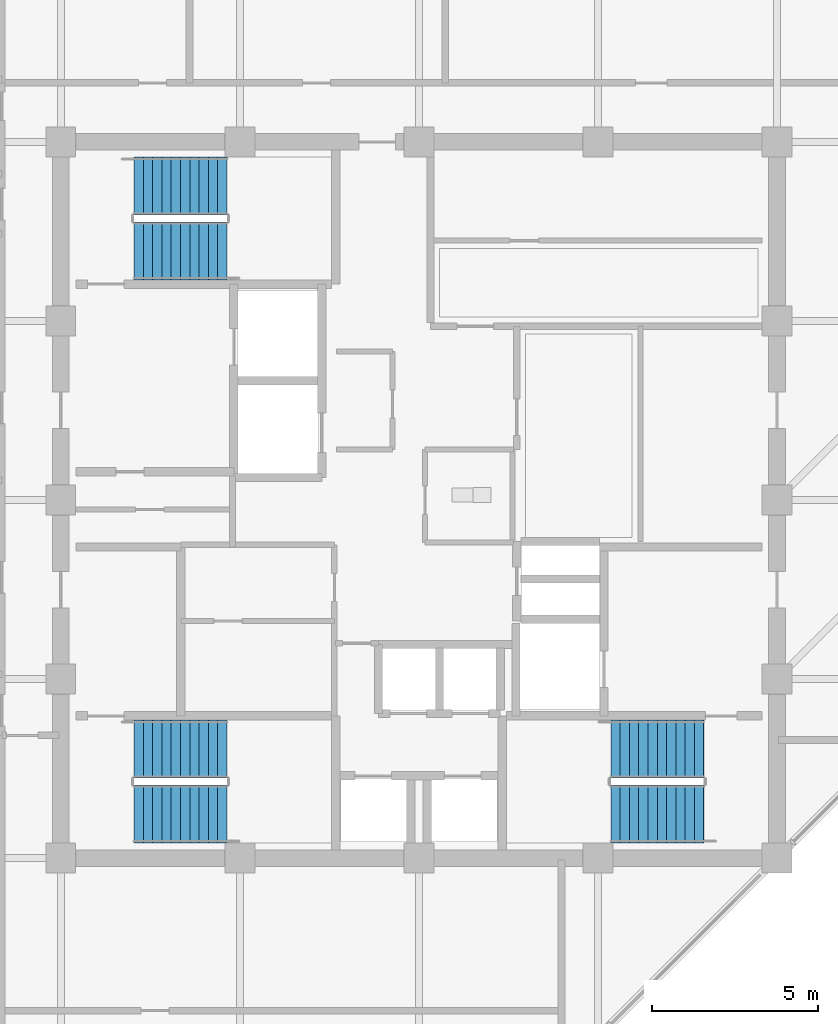
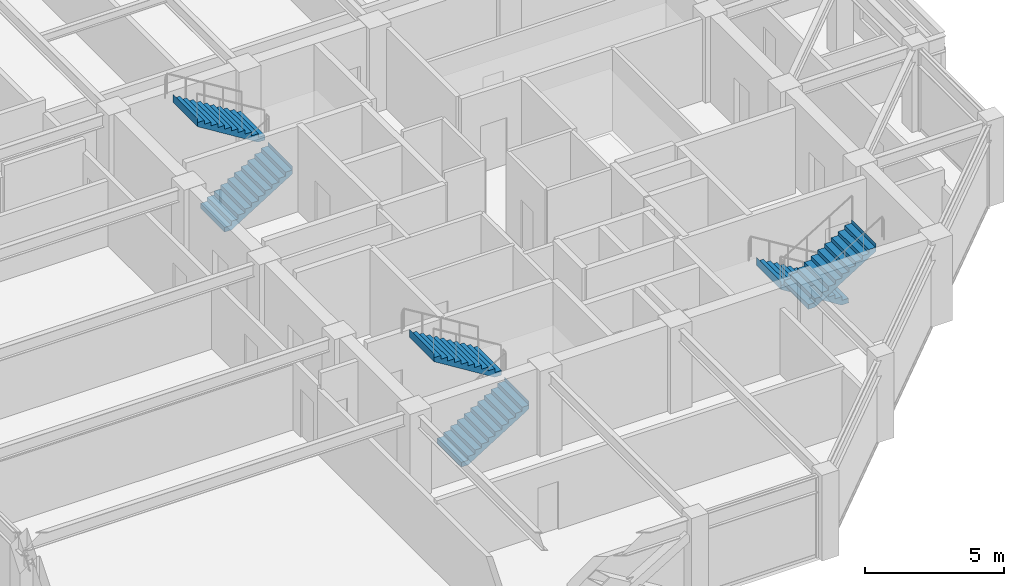
# One storey, part 26 of 29: 6 stair flights, 3 elements without a shape of their own.
"""IFC4 building model written with IfcOpenShell, lengths in metres."""

from ifc_helpers import new_model, si_unit, direction, frame, origin, place, context, subcontext, project, spatial, polyline, outline, extrude, material, type_object, element, aggregate, save


model = new_model("IFC4")

# Units and contexts
model_context = context("Model", 3, precision=1e-05, world=origin(), true_north=direction((0.0, 1.0)))
body_context = subcontext(model_context, "Body", "Model", "MODEL_VIEW")
ifc_project = project(units=[si_unit("LENGTHUNIT", "METRE"), si_unit("AREAUNIT", "SQUARE_METRE"), si_unit("VOLUMEUNIT", "CUBIC_METRE"), si_unit("PLANEANGLEUNIT", "RADIAN"), si_unit("MASSUNIT", "GRAM", prefix="KILO")], contexts=[model_context])

# Site, building, storey
site_placement = place(None, origin())
site = spatial("IfcSite", under=ifc_project, at=site_placement, CompositionType="ELEMENT")
building_placement = place(site_placement, origin())
building = spatial("IfcBuilding", under=site, at=building_placement, Name="Surkhivell Harbour Commons", CompositionType="ELEMENT")
storey_placement = place(building_placement, frame((0.0, 0.0, 277.5)))
storey = spatial("IfcBuildingStorey", under=building, at=storey_placement, Name="L72", CompositionType="ELEMENT", Elevation=277.5)

# Stair, stair flights
ifc_material = material(Name="Precast concrete C45/55", Category="concrete")
stair_type = type_object("IfcStairType", Name="STR-DL-375", PredefinedType="HALF_TURN_STAIR", material=ifc_material)
stair_1_placement = place(storey_placement, origin())
stair_1 = element("IfcStair", 1, at=stair_1_placement, inside=storey, type_object=stair_type, Name="L72 Core Exit Stair ST1", PredefinedType="HALF_TURN_STAIR")
stair_flight_type = type_object("IfcStairFlightType", Name="STF-DL-375", PredefinedType="STRAIGHT", material=ifc_material)
stair_flight_1_placement = place(storey_placement, frame((-8.590087890625, 7.514892578125, 0.0), z_axis=(0.0, 0.0, 1.0), x_axis=(1.0, 0.0, 0.0)))
stair_flight_1 = element("IfcStairFlight", 2, at=stair_flight_1_placement, type_object=stair_flight_type, Name="ST1 flight 1", NumberOfRisers=11, NumberOfTreads=10, PredefinedType="STRAIGHT", RiserHeight=0.170454545, TreadLength=0.28, context=body_context, shape_type="SweptSolid", body=[
    extrude(outline(polyline([(-0.0029296875, -0.034912109375), (-0.0029296875, 0.0), (0.0, 0.0), (0.0, 0.17041015625), (0.280029296875, 0.17041015625), (0.280029296875, 0.3408203125), (0.56005859375, 0.3408203125), (0.56005859375, 0.511474609375), (0.840087890625, 0.511474609375), (0.840087890625, 0.681884765625), (1.1201171875, 0.681884765625), (1.1201171875, 0.852294921875), (1.39990234375, 0.852294921875), (1.39990234375, 1.022705078125), (1.679931640625, 1.022705078125), (1.679931640625, 1.193115234375), (1.9599609375, 1.193115234375), (1.9599609375, 1.363525390625), (2.239990234375, 1.363525390625), (2.239990234375, 1.5341796875), (2.52001953125, 1.5341796875), (2.52001953125, 1.70458984375), (2.800048828125, 1.70458984375), (2.800048828125, 1.875), (2.802978515625, 1.875), (2.802978515625, 1.529052734375), (0.288330078125, -0.034912109375), (-0.0029296875, -0.034912109375)])), frame((0.0, 0.875, 0.0), z_axis=(0.0, -1.0, 0.0), x_axis=(1.0, 0.0, 0.0)), (0.0, 0.0, 1.0), 1.75),
])
stair_flight_2_placement = place(storey_placement, frame((-5.7900390625, 9.465087890625, 1.875), z_axis=(0.0, 0.0, 1.0), x_axis=(-1.0, 0.0, 0.0)))
stair_flight_2 = element("IfcStairFlight", 3, at=stair_flight_2_placement, type_object=stair_flight_type, Name="ST1 flight 2", NumberOfRisers=11, NumberOfTreads=10, PredefinedType="STRAIGHT", RiserHeight=0.170454545, TreadLength=0.28, context=body_context, shape_type="SweptSolid", body=[
    extrude(outline(polyline([(-0.0029296875, -0.034912109375), (-0.0029296875, 0.0), (0.0, 0.0), (0.0, 0.17041015625), (0.280029296875, 0.17041015625), (0.280029296875, 0.3408203125), (0.56005859375, 0.3408203125), (0.56005859375, 0.511474609375), (0.840087890625, 0.511474609375), (0.840087890625, 0.681884765625), (1.1201171875, 0.681884765625), (1.1201171875, 0.852294921875), (1.39990234375, 0.852294921875), (1.39990234375, 1.022705078125), (1.679931640625, 1.022705078125), (1.679931640625, 1.193115234375), (1.9599609375, 1.193115234375), (1.9599609375, 1.363525390625), (2.239990234375, 1.363525390625), (2.239990234375, 1.5341796875), (2.52001953125, 1.5341796875), (2.52001953125, 1.70458984375), (2.800048828125, 1.70458984375), (2.800048828125, 1.875), (2.802978515625, 1.875), (2.802978515625, 1.529052734375), (0.288330078125, -0.034912109375), (-0.0029296875, -0.034912109375)])), frame((0.0, 0.875, 0.0), z_axis=(0.0, -1.0, 0.0), x_axis=(1.0, 0.0, 0.0)), (0.0, 0.0, 1.0), 1.75),
])
aggregate(stair_1, [stair_flight_1, stair_flight_2])

stair_2_placement = place(storey_placement, origin())
stair_2 = element("IfcStair", 4, at=stair_2_placement, inside=storey, type_object=stair_type, Name="L72 Core Exit Stair ST2", PredefinedType="HALF_TURN_STAIR")
stair_flight_3_placement = place(storey_placement, frame((8.590087890625, -7.514892578125, 0.0), z_axis=(0.0, 0.0, 1.0), x_axis=(-1.0, 0.0, 0.0)))
stair_flight_3 = element("IfcStairFlight", 5, at=stair_flight_3_placement, type_object=stair_flight_type, Name="ST2 flight 1", NumberOfRisers=11, NumberOfTreads=10, PredefinedType="STRAIGHT", RiserHeight=0.170454545, TreadLength=0.28, context=body_context, shape_type="SweptSolid", body=[
    extrude(outline(polyline([(-0.0029296875, -0.034912109375), (-0.0029296875, 0.0), (0.0, 0.0), (0.0, 0.17041015625), (0.280029296875, 0.17041015625), (0.280029296875, 0.3408203125), (0.56005859375, 0.3408203125), (0.56005859375, 0.511474609375), (0.840087890625, 0.511474609375), (0.840087890625, 0.681884765625), (1.1201171875, 0.681884765625), (1.1201171875, 0.852294921875), (1.39990234375, 0.852294921875), (1.39990234375, 1.022705078125), (1.679931640625, 1.022705078125), (1.679931640625, 1.193115234375), (1.9599609375, 1.193115234375), (1.9599609375, 1.363525390625), (2.239990234375, 1.363525390625), (2.239990234375, 1.5341796875), (2.52001953125, 1.5341796875), (2.52001953125, 1.70458984375), (2.800048828125, 1.70458984375), (2.800048828125, 1.875), (2.802978515625, 1.875), (2.802978515625, 1.529052734375), (0.288330078125, -0.034912109375), (-0.0029296875, -0.034912109375)])), frame((0.0, 0.875, 0.0), z_axis=(0.0, -1.0, 0.0), x_axis=(1.0, 0.0, 0.0)), (0.0, 0.0, 1.0), 1.75),
])
stair_flight_4_placement = place(storey_placement, frame((5.7900390625, -9.465087890625, 1.875), z_axis=(0.0, 0.0, 1.0), x_axis=(1.0, 0.0, 0.0)))
stair_flight_4 = element("IfcStairFlight", 6, at=stair_flight_4_placement, type_object=stair_flight_type, Name="ST2 flight 2", NumberOfRisers=11, NumberOfTreads=10, PredefinedType="STRAIGHT", RiserHeight=0.170454545, TreadLength=0.28, context=body_context, shape_type="SweptSolid", body=[
    extrude(outline(polyline([(-0.0029296875, -0.034912109375), (-0.0029296875, 0.0), (0.0, 0.0), (0.0, 0.17041015625), (0.280029296875, 0.17041015625), (0.280029296875, 0.3408203125), (0.56005859375, 0.3408203125), (0.56005859375, 0.511474609375), (0.840087890625, 0.511474609375), (0.840087890625, 0.681884765625), (1.1201171875, 0.681884765625), (1.1201171875, 0.852294921875), (1.39990234375, 0.852294921875), (1.39990234375, 1.022705078125), (1.679931640625, 1.022705078125), (1.679931640625, 1.193115234375), (1.9599609375, 1.193115234375), (1.9599609375, 1.363525390625), (2.239990234375, 1.363525390625), (2.239990234375, 1.5341796875), (2.52001953125, 1.5341796875), (2.52001953125, 1.70458984375), (2.800048828125, 1.70458984375), (2.800048828125, 1.875), (2.802978515625, 1.875), (2.802978515625, 1.529052734375), (0.288330078125, -0.034912109375), (-0.0029296875, -0.034912109375)])), frame((0.0, 0.875, 0.0), z_axis=(0.0, -1.0, 0.0), x_axis=(1.0, 0.0, 0.0)), (0.0, 0.0, 1.0), 1.75),
])
aggregate(stair_2, [stair_flight_3, stair_flight_4])

stair_3_placement = place(storey_placement, origin())
stair_3 = element("IfcStair", 7, at=stair_3_placement, inside=storey, type_object=stair_type, Name="L72 Core Exit Stair ST3", PredefinedType="HALF_TURN_STAIR")
stair_flight_5_placement = place(storey_placement, frame((-8.590087890625, -9.465087890625, 0.0), z_axis=(0.0, 0.0, 1.0), x_axis=(1.0, 0.0, 0.0)))
stair_flight_5 = element("IfcStairFlight", 8, at=stair_flight_5_placement, type_object=stair_flight_type, Name="ST3 flight 1", NumberOfRisers=11, NumberOfTreads=10, PredefinedType="STRAIGHT", RiserHeight=0.170454545, TreadLength=0.28, context=body_context, shape_type="SweptSolid", body=[
    extrude(outline(polyline([(-0.0029296875, -0.034912109375), (-0.0029296875, 0.0), (0.0, 0.0), (0.0, 0.17041015625), (0.280029296875, 0.17041015625), (0.280029296875, 0.3408203125), (0.56005859375, 0.3408203125), (0.56005859375, 0.511474609375), (0.840087890625, 0.511474609375), (0.840087890625, 0.681884765625), (1.1201171875, 0.681884765625), (1.1201171875, 0.852294921875), (1.39990234375, 0.852294921875), (1.39990234375, 1.022705078125), (1.679931640625, 1.022705078125), (1.679931640625, 1.193115234375), (1.9599609375, 1.193115234375), (1.9599609375, 1.363525390625), (2.239990234375, 1.363525390625), (2.239990234375, 1.5341796875), (2.52001953125, 1.5341796875), (2.52001953125, 1.70458984375), (2.800048828125, 1.70458984375), (2.800048828125, 1.875), (2.802978515625, 1.875), (2.802978515625, 1.529052734375), (0.288330078125, -0.034912109375), (-0.0029296875, -0.034912109375)])), frame((0.0, 0.875, 0.0), z_axis=(0.0, -1.0, 0.0), x_axis=(1.0, 0.0, 0.0)), (0.0, 0.0, 1.0), 1.75),
])
stair_flight_6_placement = place(storey_placement, frame((-5.7900390625, -7.514892578125, 1.875), z_axis=(0.0, 0.0, 1.0), x_axis=(-1.0, 0.0, 0.0)))
stair_flight_6 = element("IfcStairFlight", 9, at=stair_flight_6_placement, type_object=stair_flight_type, Name="ST3 flight 2", NumberOfRisers=11, NumberOfTreads=10, PredefinedType="STRAIGHT", RiserHeight=0.170454545, TreadLength=0.28, context=body_context, shape_type="SweptSolid", body=[
    extrude(outline(polyline([(-0.0029296875, -0.034912109375), (-0.0029296875, 0.0), (0.0, 0.0), (0.0, 0.17041015625), (0.280029296875, 0.17041015625), (0.280029296875, 0.3408203125), (0.56005859375, 0.3408203125), (0.56005859375, 0.511474609375), (0.840087890625, 0.511474609375), (0.840087890625, 0.681884765625), (1.1201171875, 0.681884765625), (1.1201171875, 0.852294921875), (1.39990234375, 0.852294921875), (1.39990234375, 1.022705078125), (1.679931640625, 1.022705078125), (1.679931640625, 1.193115234375), (1.9599609375, 1.193115234375), (1.9599609375, 1.363525390625), (2.239990234375, 1.363525390625), (2.239990234375, 1.5341796875), (2.52001953125, 1.5341796875), (2.52001953125, 1.70458984375), (2.800048828125, 1.70458984375), (2.800048828125, 1.875), (2.802978515625, 1.875), (2.802978515625, 1.529052734375), (0.288330078125, -0.034912109375), (-0.0029296875, -0.034912109375)])), frame((0.0, 0.875, 0.0), z_axis=(0.0, -1.0, 0.0), x_axis=(1.0, 0.0, 0.0)), (0.0, 0.0, 1.0), 1.75),
])
aggregate(stair_3, [stair_flight_5, stair_flight_6])

save(model, "model.ifc")
